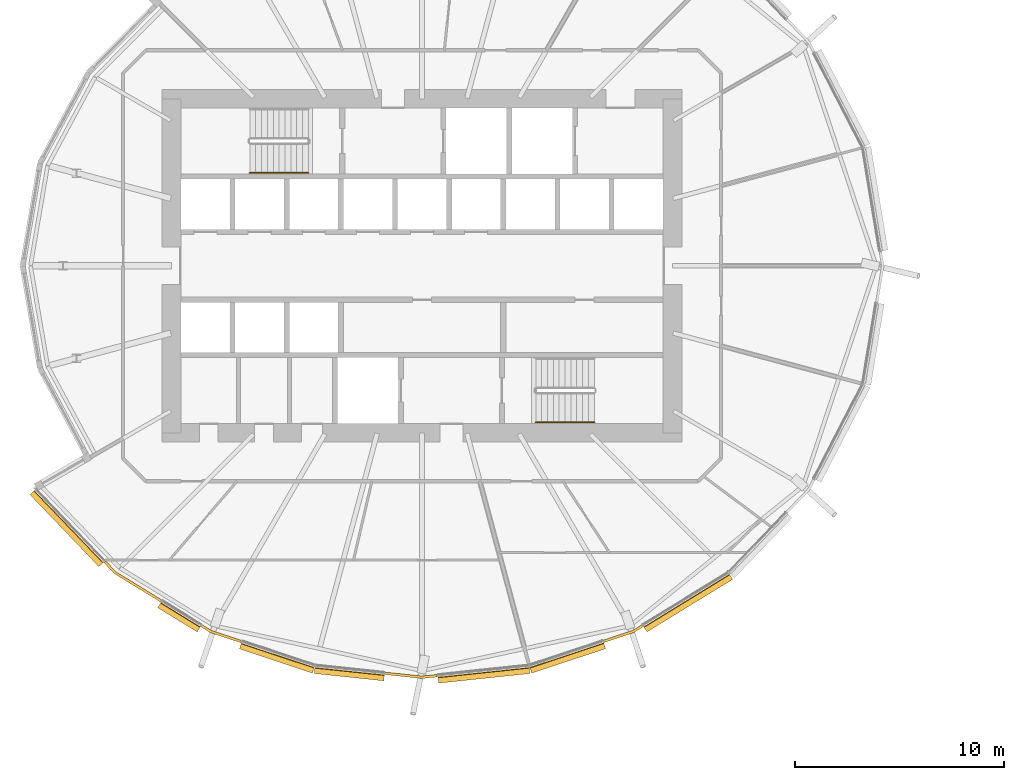
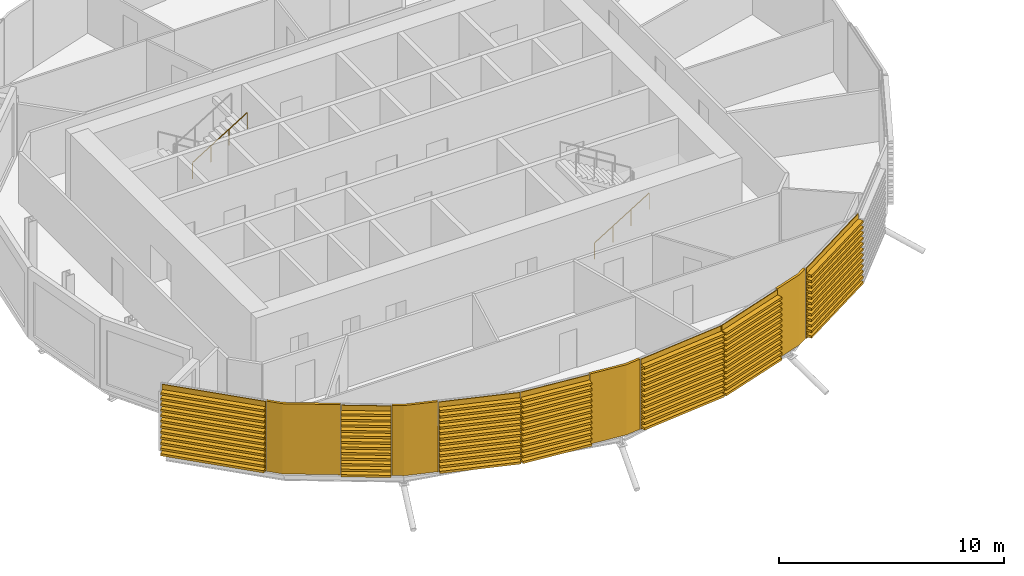
# One storey, part 31 of 36: 11 coverings, 2 railings.
"""IFC4 building model written with IfcOpenShell, lengths in metres."""

from ifc_helpers import new_model, si_unit, direction, frame, origin, origin_2d, place, context, subcontext, project, spatial, polyline, circle, outline, extrude, material, layer, layer_set, material_profile, profile_set, type_object, element, save


model = new_model("IFC4")

# Units and contexts
model_context = context("Model", 3, precision=1e-05, world=origin(), true_north=direction((0.0, 1.0)))
body_context = subcontext(model_context, "Body", "Model", "MODEL_VIEW")
ifc_project = project(units=[si_unit("LENGTHUNIT", "METRE"), si_unit("AREAUNIT", "SQUARE_METRE"), si_unit("VOLUMEUNIT", "CUBIC_METRE"), si_unit("PLANEANGLEUNIT", "RADIAN"), si_unit("MASSUNIT", "GRAM", prefix="KILO")], contexts=[model_context])

# Site, building, storey
site_placement = place(None, origin())
site = spatial("IfcSite", under=ifc_project, at=site_placement, CompositionType="ELEMENT")
building_placement = place(site_placement, origin())
building = spatial("IfcBuilding", under=site, at=building_placement, Name="Rimbun Link Towers", CompositionType="ELEMENT")
storey_placement = place(building_placement, frame((0.0, 0.0, 33.800048828125)))
storey = spatial("IfcBuildingStorey", under=building, at=storey_placement, Name="L07", CompositionType="ELEMENT", Elevation=33.800048828125)

# Coverings
ifc_material_1 = material(Name="Terracotta", Category="masonry")
ifc_layer = layer(ifc_material_1, 0.1201171875)
ifc_layer_set = layer_set([ifc_layer], Name="LINK PIER terracotta cladding 120")
covering_type_1 = type_object("IfcCoveringType", Name="LINK PIER terracotta cladding 120", PredefinedType="CLADDING", material=ifc_layer_set)
covering_1_placement = place(storey_placement, origin())
element("IfcCovering", 1, at=covering_1_placement, inside=storey, type_object=covering_type_1, Name="LINK PIER cladding", PredefinedType="CLADDING", context=body_context, shape_type="SweptSolid", body=[
    extrude(outline(polyline([(-44.220703125, -16.005615234375), (-46.410888671875, -14.660888671875), (-46.9091796875, -14.14111328125), (-46.99560546875, -14.22412109375), (-46.48681640625, -14.7548828125), (-44.283447265625, -16.107666015625), (-44.220703125, -16.005615234375)])), origin(), (0.0, 0.0, 1.0), 3.800048828125),
])
covering_2_placement = place(storey_placement, origin())
element("IfcCovering", 2, at=covering_2_placement, inside=storey, type_object=covering_type_1, Name="LINK PIER cladding", PredefinedType="CLADDING", context=body_context, shape_type="SweptSolid", body=[
    extrude(outline(polyline([(-40.393310546875, -17.94775390625), (-41.836181640625, -17.469482421875), (-42.279296875, -17.197509765625), (-42.342041015625, -17.2998046875), (-41.886962890625, -17.5791015625), (-40.430908203125, -18.0615234375), (-40.393310546875, -17.94775390625)])), origin(), (0.0, 0.0, 1.0), 3.800048828125),
])
covering_3_placement = place(storey_placement, origin())
element("IfcCovering", 3, at=covering_3_placement, inside=storey, type_object=covering_type_1, Name="LINK PIER cladding", PredefinedType="CLADDING", context=body_context, shape_type="SweptSolid", body=[
    extrude(outline(polyline([(-31.033935546875, -19.578857421875), (-31.75, -19.654296875), (-33.51025390625, -19.46875), (-33.52294921875, -19.588134765625), (-31.75, -19.77490234375), (-31.021484375, -19.697998046875), (-31.033935546875, -19.578857421875)])), origin(), (0.0, 0.0, 1.0), 3.800048828125),
])
covering_4_placement = place(storey_placement, origin())
element("IfcCovering", 4, at=covering_4_placement, inside=storey, type_object=covering_type_1, Name="LINK PIER cladding", PredefinedType="CLADDING", context=body_context, shape_type="SweptSolid", body=[
    extrude(outline(polyline([(-21.220703125, -17.197509765625), (-21.663818359375, -17.469482421875), (-23.059326171875, -17.93212890625), (-23.021484375, -18.0458984375), (-21.613037109375, -17.5791015625), (-21.157958984375, -17.2998046875), (-21.220703125, -17.197509765625)])), origin(), (0.0, 0.0, 1.0), 3.800048828125),
])

# Railings
ifc_material_2 = material(Name="Stainless steel grade 316", Category="steel")
railing_type = type_object("IfcRailingType", Name="Stair handrail", PredefinedType="HANDRAIL", material=ifc_material_2)
for number, where, name in (
    (5, (-40.0, 4.449951171875, 2.07275390625), "L07 ST1 stair handrail 2"),
    (6, (-26.300048828125, -7.5, 0.172607421875), "L07 ST2 stair handrail 1"),
):
    element("IfcRailing", number, at=place(storey_placement, frame(where)), inside=storey, type_object=railing_type, Name=name, PredefinedType="HANDRAIL", context=body_context, shape_type="SweptSolid", body=[
        extrude(circle(Radius=0.02392578125, at=origin_2d()), frame((0.0, 0.0, 0.8759765625), z_axis=(0.851089632645, 0.0, 0.525020415988), x_axis=(0.0, 1.0, 0.0)), (0.0, 0.0, 1.0), 3.2900390625),
        extrude(circle(Radius=0.02099609375, at=origin_2d()), origin(), (0.0, 0.0, 1.0), 0.851806640625),
        extrude(circle(Radius=0.02099609375, at=origin_2d()), frame((0.933349609375, 0.0, 0.57568359375)), (0.0, 0.0, 1.0), 0.851806640625),
        extrude(circle(Radius=0.02099609375, at=origin_2d()), frame((1.86669921875, 0.0, 1.151611328125)), (0.0, 0.0, 1.0), 0.851806640625),
        extrude(circle(Radius=0.02099609375, at=origin_2d()), frame((2.800048828125, 0.0, 1.727294921875)), (0.0, 0.0, 1.0), 0.851806640625),
    ])

# Coverings
ifc_material_3 = material(Name="Terracotta", Category="masonry")
ifc_material_profile = material_profile(ifc_material_3, outline(polyline([(0.123046875, 0.0), (0.1630859375, 0.0), (0.1630859375, 0.10009765625), (0.423095703125, 0.10009765625), (0.423095703125, 0.219970703125), (0.1630859375, 0.219970703125), (0.1630859375, 0.39990234375), (0.423095703125, 0.39990234375), (0.423095703125, 0.52001953125), (0.1630859375, 0.52001953125), (0.1630859375, 0.699951171875), (0.423095703125, 0.699951171875), (0.423095703125, 0.820068359375), (0.1630859375, 0.820068359375), (0.1630859375, 1.0), (0.423095703125, 1.0), (0.423095703125, 1.1201171875), (0.1630859375, 1.1201171875), (0.1630859375, 1.300048828125), (0.423095703125, 1.300048828125), (0.423095703125, 1.419921875), (0.1630859375, 1.419921875), (0.1630859375, 1.60009765625), (0.423095703125, 1.60009765625), (0.423095703125, 1.719970703125), (0.1630859375, 1.719970703125), (0.1630859375, 1.89990234375), (0.423095703125, 1.89990234375), (0.423095703125, 2.02001953125), (0.1630859375, 2.02001953125), (0.1630859375, 2.199951171875), (0.423095703125, 2.199951171875), (0.423095703125, 2.320068359375), (0.1630859375, 2.320068359375), (0.1630859375, 2.5), (0.423095703125, 2.5), (0.423095703125, 2.6201171875), (0.1630859375, 2.6201171875), (0.1630859375, 2.800048828125), (0.423095703125, 2.800048828125), (0.423095703125, 2.919921875), (0.1630859375, 2.919921875), (0.1630859375, 3.10009765625), (0.423095703125, 3.10009765625), (0.423095703125, 3.219970703125), (0.1630859375, 3.219970703125), (0.1630859375, 3.39990234375), (0.423095703125, 3.39990234375), (0.423095703125, 3.52001953125), (0.1630859375, 3.52001953125), (0.1630859375, 3.800048828125), (0.123046875, 3.800048828125), (0.123046875, 0.0)])), Name="BAGUETTE 120X300")
ifc_profile_set = profile_set([ifc_material_profile], Name="Terracotta")
covering_type_2 = type_object("IfcCoveringType", Name="TERRACOTTA BAGUETTE 120X300 H3800", PredefinedType="CLADDING", material=ifc_profile_set)
covering_5_placement = place(storey_placement, frame((-46.929931640625, -14.119384765625, 0.0), z_axis=(-0.692047475456, 0.721851987401, 0.0), x_axis=(-0.721851987401, -0.692047475456, 0.0)))
element("IfcCovering", 7, at=covering_5_placement, inside=storey, type_object=covering_type_2, Name="TERRACOTTA BAGUETTE", PredefinedType="CLADDING", context=body_context, shape_type="SweptSolid", body=[
    extrude(outline(polyline([(0.123046875, 0.0), (0.1630859375, 0.0), (0.1630859375, 0.10009765625), (0.423095703125, 0.10009765625), (0.423095703125, 0.219970703125), (0.1630859375, 0.219970703125), (0.1630859375, 0.39990234375), (0.423095703125, 0.39990234375), (0.423095703125, 0.52001953125), (0.1630859375, 0.52001953125), (0.1630859375, 0.699951171875), (0.423095703125, 0.699951171875), (0.423095703125, 0.820068359375), (0.1630859375, 0.820068359375), (0.1630859375, 1.0), (0.423095703125, 1.0), (0.423095703125, 1.1201171875), (0.1630859375, 1.1201171875), (0.1630859375, 1.300048828125), (0.423095703125, 1.300048828125), (0.423095703125, 1.419921875), (0.1630859375, 1.419921875), (0.1630859375, 1.60009765625), (0.423095703125, 1.60009765625), (0.423095703125, 1.719970703125), (0.1630859375, 1.719970703125), (0.1630859375, 1.89990234375), (0.423095703125, 1.89990234375), (0.423095703125, 2.02001953125), (0.1630859375, 2.02001953125), (0.1630859375, 2.199951171875), (0.423095703125, 2.199951171875), (0.423095703125, 2.320068359375), (0.1630859375, 2.320068359375), (0.1630859375, 2.5), (0.423095703125, 2.5), (0.423095703125, 2.6201171875), (0.1630859375, 2.6201171875), (0.1630859375, 2.800048828125), (0.423095703125, 2.800048828125), (0.423095703125, 2.919921875), (0.1630859375, 2.919921875), (0.1630859375, 3.10009765625), (0.423095703125, 3.10009765625), (0.423095703125, 3.219970703125), (0.1630859375, 3.219970703125), (0.1630859375, 3.39990234375), (0.423095703125, 3.39990234375), (0.423095703125, 3.52001953125), (0.1630859375, 3.52001953125), (0.1630859375, 3.800048828125), (0.123046875, 3.800048828125), (0.123046875, 0.0)])), origin(), (0.0, 0.0, 1.0), 4.775634765625),
])
covering_6_placement = place(storey_placement, frame((-42.3046875, -17.181884765625, 0.0), z_axis=(-0.852194471791, 0.523225173562, 0.0), x_axis=(-0.523225173562, -0.852194471791, 0.0)))
element("IfcCovering", 8, at=covering_6_placement, inside=storey, type_object=covering_type_2, Name="TERRACOTTA BAGUETTE", PredefinedType="CLADDING", context=body_context, shape_type="SweptSolid", body=[
    extrude(outline(polyline([(0.123046875, 0.0), (0.1630859375, 0.0), (0.1630859375, 0.10009765625), (0.423095703125, 0.10009765625), (0.423095703125, 0.219970703125), (0.1630859375, 0.219970703125), (0.1630859375, 0.39990234375), (0.423095703125, 0.39990234375), (0.423095703125, 0.52001953125), (0.1630859375, 0.52001953125), (0.1630859375, 0.699951171875), (0.423095703125, 0.699951171875), (0.423095703125, 0.820068359375), (0.1630859375, 0.820068359375), (0.1630859375, 1.0), (0.423095703125, 1.0), (0.423095703125, 1.1201171875), (0.1630859375, 1.1201171875), (0.1630859375, 1.300048828125), (0.423095703125, 1.300048828125), (0.423095703125, 1.419921875), (0.1630859375, 1.419921875), (0.1630859375, 1.60009765625), (0.423095703125, 1.60009765625), (0.423095703125, 1.719970703125), (0.1630859375, 1.719970703125), (0.1630859375, 1.89990234375), (0.423095703125, 1.89990234375), (0.423095703125, 2.02001953125), (0.1630859375, 2.02001953125), (0.1630859375, 2.199951171875), (0.423095703125, 2.199951171875), (0.423095703125, 2.320068359375), (0.1630859375, 2.320068359375), (0.1630859375, 2.5), (0.423095703125, 2.5), (0.423095703125, 2.6201171875), (0.1630859375, 2.6201171875), (0.1630859375, 2.800048828125), (0.423095703125, 2.800048828125), (0.423095703125, 2.919921875), (0.1630859375, 2.919921875), (0.1630859375, 3.10009765625), (0.423095703125, 3.10009765625), (0.423095703125, 3.219970703125), (0.1630859375, 3.219970703125), (0.1630859375, 3.39990234375), (0.423095703125, 3.39990234375), (0.423095703125, 3.52001953125), (0.1630859375, 3.52001953125), (0.1630859375, 3.800048828125), (0.123046875, 3.800048828125), (0.123046875, 0.0)])), origin(), (0.0, 0.0, 1.0), 2.21826171875),
])
covering_7_placement = place(storey_placement, frame((-36.871826171875, -19.11474609375, 0.0), z_axis=(-0.949239146914, 0.314555308277, 0.0), x_axis=(-0.314555308277, -0.949239146914, 0.0)))
element("IfcCovering", 9, at=covering_7_placement, inside=storey, type_object=covering_type_2, Name="TERRACOTTA BAGUETTE", PredefinedType="CLADDING", context=body_context, shape_type="SweptSolid", body=[
    extrude(outline(polyline([(0.123046875, 0.0), (0.1630859375, 0.0), (0.1630859375, 0.10009765625), (0.423095703125, 0.10009765625), (0.423095703125, 0.219970703125), (0.1630859375, 0.219970703125), (0.1630859375, 0.39990234375), (0.423095703125, 0.39990234375), (0.423095703125, 0.52001953125), (0.1630859375, 0.52001953125), (0.1630859375, 0.699951171875), (0.423095703125, 0.699951171875), (0.423095703125, 0.820068359375), (0.1630859375, 0.820068359375), (0.1630859375, 1.0), (0.423095703125, 1.0), (0.423095703125, 1.1201171875), (0.1630859375, 1.1201171875), (0.1630859375, 1.300048828125), (0.423095703125, 1.300048828125), (0.423095703125, 1.419921875), (0.1630859375, 1.419921875), (0.1630859375, 1.60009765625), (0.423095703125, 1.60009765625), (0.423095703125, 1.719970703125), (0.1630859375, 1.719970703125), (0.1630859375, 1.89990234375), (0.423095703125, 1.89990234375), (0.423095703125, 2.02001953125), (0.1630859375, 2.02001953125), (0.1630859375, 2.199951171875), (0.423095703125, 2.199951171875), (0.423095703125, 2.320068359375), (0.1630859375, 2.320068359375), (0.1630859375, 2.5), (0.423095703125, 2.5), (0.423095703125, 2.6201171875), (0.1630859375, 2.6201171875), (0.1630859375, 2.800048828125), (0.423095703125, 2.800048828125), (0.423095703125, 2.919921875), (0.1630859375, 2.919921875), (0.1630859375, 3.10009765625), (0.423095703125, 3.10009765625), (0.423095703125, 3.219970703125), (0.1630859375, 3.219970703125), (0.1630859375, 3.39990234375), (0.423095703125, 3.39990234375), (0.423095703125, 3.52001953125), (0.1630859375, 3.52001953125), (0.1630859375, 3.800048828125), (0.123046875, 3.800048828125), (0.123046875, 0.0)])), origin(), (0.0, 0.0, 1.0), 3.6796875),
])
covering_8_placement = place(storey_placement, frame((-33.5400390625, -19.465576171875, 0.0), z_axis=(-0.994501858584, 0.104718925096, 0.0), x_axis=(-0.104718925096, -0.994501858584, 0.0)))
element("IfcCovering", 10, at=covering_8_placement, inside=storey, type_object=covering_type_2, Name="TERRACOTTA BAGUETTE", PredefinedType="CLADDING", context=body_context, shape_type="SweptSolid", body=[
    extrude(outline(polyline([(0.123046875, 0.0), (0.1630859375, 0.0), (0.1630859375, 0.10009765625), (0.423095703125, 0.10009765625), (0.423095703125, 0.219970703125), (0.1630859375, 0.219970703125), (0.1630859375, 0.39990234375), (0.423095703125, 0.39990234375), (0.423095703125, 0.52001953125), (0.1630859375, 0.52001953125), (0.1630859375, 0.699951171875), (0.423095703125, 0.699951171875), (0.423095703125, 0.820068359375), (0.1630859375, 0.820068359375), (0.1630859375, 1.0), (0.423095703125, 1.0), (0.423095703125, 1.1201171875), (0.1630859375, 1.1201171875), (0.1630859375, 1.300048828125), (0.423095703125, 1.300048828125), (0.423095703125, 1.419921875), (0.1630859375, 1.419921875), (0.1630859375, 1.60009765625), (0.423095703125, 1.60009765625), (0.423095703125, 1.719970703125), (0.1630859375, 1.719970703125), (0.1630859375, 1.89990234375), (0.423095703125, 1.89990234375), (0.423095703125, 2.02001953125), (0.1630859375, 2.02001953125), (0.1630859375, 2.199951171875), (0.423095703125, 2.199951171875), (0.423095703125, 2.320068359375), (0.1630859375, 2.320068359375), (0.1630859375, 2.5), (0.423095703125, 2.5), (0.423095703125, 2.6201171875), (0.1630859375, 2.6201171875), (0.1630859375, 2.800048828125), (0.423095703125, 2.800048828125), (0.423095703125, 2.919921875), (0.1630859375, 2.919921875), (0.1630859375, 3.10009765625), (0.423095703125, 3.10009765625), (0.423095703125, 3.219970703125), (0.1630859375, 3.219970703125), (0.1630859375, 3.39990234375), (0.423095703125, 3.39990234375), (0.423095703125, 3.52001953125), (0.1630859375, 3.52001953125), (0.1630859375, 3.800048828125), (0.123046875, 3.800048828125), (0.123046875, 0.0)])), origin(), (0.0, 0.0, 1.0), 3.35009765625),
])
covering_9_placement = place(storey_placement, frame((-26.628173828125, -19.11474609375, 0.0), z_axis=(-0.994498153958, -0.104754101466, 0.0), x_axis=(0.104754101466, -0.994498153958, 0.0)))
element("IfcCovering", 11, at=covering_9_placement, inside=storey, type_object=covering_type_2, Name="TERRACOTTA BAGUETTE", PredefinedType="CLADDING", context=body_context, shape_type="SweptSolid", body=[
    extrude(outline(polyline([(0.123046875, 0.0), (0.1630859375, 0.0), (0.1630859375, 0.10009765625), (0.423095703125, 0.10009765625), (0.423095703125, 0.219970703125), (0.1630859375, 0.219970703125), (0.1630859375, 0.39990234375), (0.423095703125, 0.39990234375), (0.423095703125, 0.52001953125), (0.1630859375, 0.52001953125), (0.1630859375, 0.699951171875), (0.423095703125, 0.699951171875), (0.423095703125, 0.820068359375), (0.1630859375, 0.820068359375), (0.1630859375, 1.0), (0.423095703125, 1.0), (0.423095703125, 1.1201171875), (0.1630859375, 1.1201171875), (0.1630859375, 1.300048828125), (0.423095703125, 1.300048828125), (0.423095703125, 1.419921875), (0.1630859375, 1.419921875), (0.1630859375, 1.60009765625), (0.423095703125, 1.60009765625), (0.423095703125, 1.719970703125), (0.1630859375, 1.719970703125), (0.1630859375, 1.89990234375), (0.423095703125, 1.89990234375), (0.423095703125, 2.02001953125), (0.1630859375, 2.02001953125), (0.1630859375, 2.199951171875), (0.423095703125, 2.199951171875), (0.423095703125, 2.320068359375), (0.1630859375, 2.320068359375), (0.1630859375, 2.5), (0.423095703125, 2.5), (0.423095703125, 2.6201171875), (0.1630859375, 2.6201171875), (0.1630859375, 2.800048828125), (0.423095703125, 2.800048828125), (0.423095703125, 2.919921875), (0.1630859375, 2.919921875), (0.1630859375, 3.10009765625), (0.423095703125, 3.10009765625), (0.423095703125, 3.219970703125), (0.1630859375, 3.219970703125), (0.1630859375, 3.39990234375), (0.423095703125, 3.39990234375), (0.423095703125, 3.52001953125), (0.1630859375, 3.52001953125), (0.1630859375, 3.800048828125), (0.123046875, 3.800048828125), (0.123046875, 0.0)])), origin(), (0.0, 0.0, 1.0), 4.400146484375),
])
covering_10_placement = place(storey_placement, frame((-23.087646484375, -17.94140625, 0.0), z_axis=(-0.949231687983, -0.314577816332, 0.0), x_axis=(0.314577816332, -0.949231687983, 0.0)))
element("IfcCovering", 12, at=covering_10_placement, inside=storey, type_object=covering_type_2, Name="TERRACOTTA BAGUETTE", PredefinedType="CLADDING", context=body_context, shape_type="SweptSolid", body=[
    extrude(outline(polyline([(0.123046875, 0.0), (0.1630859375, 0.0), (0.1630859375, 0.10009765625), (0.423095703125, 0.10009765625), (0.423095703125, 0.219970703125), (0.1630859375, 0.219970703125), (0.1630859375, 0.39990234375), (0.423095703125, 0.39990234375), (0.423095703125, 0.52001953125), (0.1630859375, 0.52001953125), (0.1630859375, 0.699951171875), (0.423095703125, 0.699951171875), (0.423095703125, 0.820068359375), (0.1630859375, 0.820068359375), (0.1630859375, 1.0), (0.423095703125, 1.0), (0.423095703125, 1.1201171875), (0.1630859375, 1.1201171875), (0.1630859375, 1.300048828125), (0.423095703125, 1.300048828125), (0.423095703125, 1.419921875), (0.1630859375, 1.419921875), (0.1630859375, 1.60009765625), (0.423095703125, 1.60009765625), (0.423095703125, 1.719970703125), (0.1630859375, 1.719970703125), (0.1630859375, 1.89990234375), (0.423095703125, 1.89990234375), (0.423095703125, 2.02001953125), (0.1630859375, 2.02001953125), (0.1630859375, 2.199951171875), (0.423095703125, 2.199951171875), (0.423095703125, 2.320068359375), (0.1630859375, 2.320068359375), (0.1630859375, 2.5), (0.423095703125, 2.5), (0.423095703125, 2.6201171875), (0.1630859375, 2.6201171875), (0.1630859375, 2.800048828125), (0.423095703125, 2.800048828125), (0.423095703125, 2.919921875), (0.1630859375, 2.919921875), (0.1630859375, 3.10009765625), (0.423095703125, 3.10009765625), (0.423095703125, 3.219970703125), (0.1630859375, 3.219970703125), (0.1630859375, 3.39990234375), (0.423095703125, 3.39990234375), (0.423095703125, 3.52001953125), (0.1630859375, 3.52001953125), (0.1630859375, 3.800048828125), (0.123046875, 3.800048828125), (0.123046875, 0.0)])), origin(), (0.0, 0.0, 1.0), 3.72998046875),
])
covering_11_placement = place(storey_placement, frame((-17.089111328125, -14.660888671875, 0.0), z_axis=(-0.852204123862, -0.523209452583, 0.0), x_axis=(0.523209452583, -0.852204123862, 0.0)))
element("IfcCovering", 13, at=covering_11_placement, inside=storey, type_object=covering_type_2, Name="TERRACOTTA BAGUETTE", PredefinedType="CLADDING", context=body_context, shape_type="SweptSolid", body=[
    extrude(outline(polyline([(0.123046875, 0.0), (0.1630859375, 0.0), (0.1630859375, 0.10009765625), (0.423095703125, 0.10009765625), (0.423095703125, 0.219970703125), (0.1630859375, 0.219970703125), (0.1630859375, 0.39990234375), (0.423095703125, 0.39990234375), (0.423095703125, 0.52001953125), (0.1630859375, 0.52001953125), (0.1630859375, 0.699951171875), (0.423095703125, 0.699951171875), (0.423095703125, 0.820068359375), (0.1630859375, 0.820068359375), (0.1630859375, 1.0), (0.423095703125, 1.0), (0.423095703125, 1.1201171875), (0.1630859375, 1.1201171875), (0.1630859375, 1.300048828125), (0.423095703125, 1.300048828125), (0.423095703125, 1.419921875), (0.1630859375, 1.419921875), (0.1630859375, 1.60009765625), (0.423095703125, 1.60009765625), (0.423095703125, 1.719970703125), (0.1630859375, 1.719970703125), (0.1630859375, 1.89990234375), (0.423095703125, 1.89990234375), (0.423095703125, 2.02001953125), (0.1630859375, 2.02001953125), (0.1630859375, 2.199951171875), (0.423095703125, 2.199951171875), (0.423095703125, 2.320068359375), (0.1630859375, 2.320068359375), (0.1630859375, 2.5), (0.423095703125, 2.5), (0.423095703125, 2.6201171875), (0.1630859375, 2.6201171875), (0.1630859375, 2.800048828125), (0.423095703125, 2.800048828125), (0.423095703125, 2.919921875), (0.1630859375, 2.919921875), (0.1630859375, 3.10009765625), (0.423095703125, 3.10009765625), (0.423095703125, 3.219970703125), (0.1630859375, 3.219970703125), (0.1630859375, 3.39990234375), (0.423095703125, 3.39990234375), (0.423095703125, 3.52001953125), (0.1630859375, 3.52001953125), (0.1630859375, 3.800048828125), (0.123046875, 3.800048828125), (0.123046875, 0.0)])), origin(), (0.0, 0.0, 1.0), 4.818359375),
])

save(model, "model.ifc")
